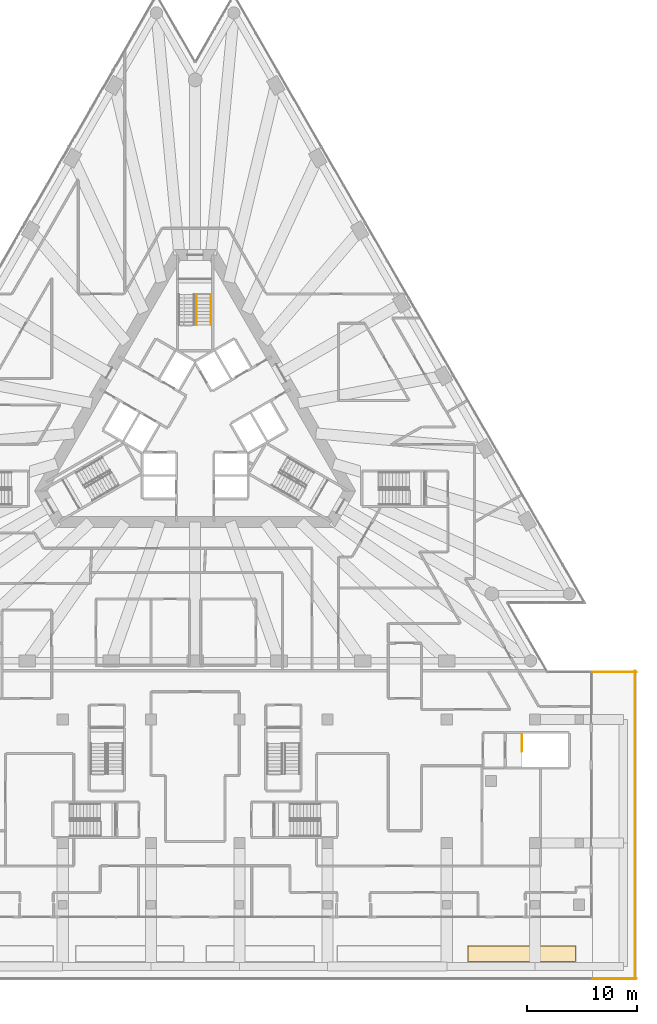
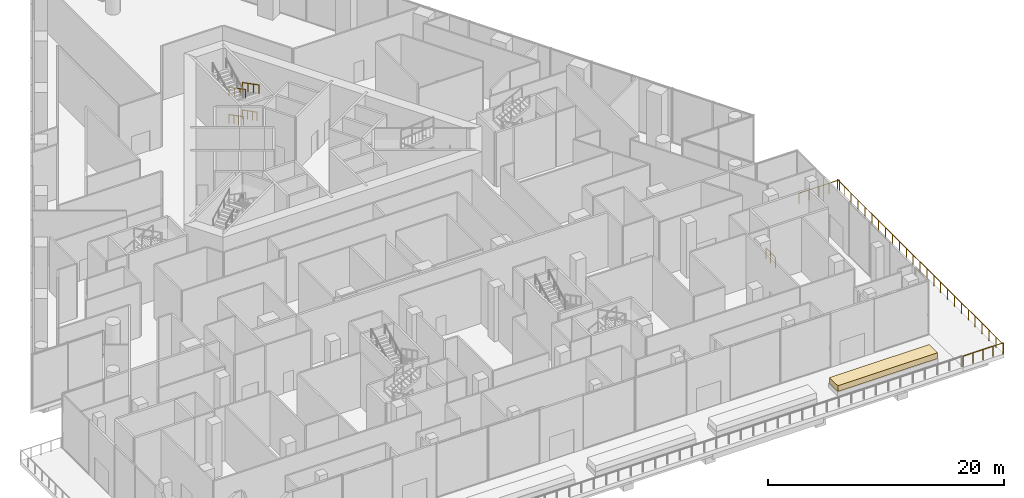
# One storey, part 36 of 36: 8 railings, 1 covering, 1 element without a shape of its own.
"""IFC4 building model written with IfcOpenShell, lengths in metres."""

from ifc_helpers import new_model, si_unit, direction, frame, origin, origin_2d, place, context, subcontext, project, spatial, polyline, circle, outline, extrude, material, layer, layer_set, type_object, element, aggregate, save


model = new_model("IFC4")

# Units and contexts
model_context = context("Model", 3, precision=1e-05, world=origin(), true_north=direction((0.0, 1.0)))
body_context = subcontext(model_context, "Body", "Model", "MODEL_VIEW")
ifc_project = project(units=[si_unit("LENGTHUNIT", "METRE"), si_unit("AREAUNIT", "SQUARE_METRE"), si_unit("VOLUMEUNIT", "CUBIC_METRE"), si_unit("PLANEANGLEUNIT", "RADIAN"), si_unit("MASSUNIT", "GRAM", prefix="KILO")], contexts=[model_context])

# Site, building, storey
site_placement = place(None, origin())
site = spatial("IfcSite", under=ifc_project, at=site_placement, CompositionType="ELEMENT")
building_placement = place(site_placement, origin())
building = spatial("IfcBuilding", under=site, at=building_placement, Name="Triada Interchange Tower", CompositionType="ELEMENT")
storey_placement = place(building_placement, frame((0.0, 0.0, 8.5)))
storey = spatial("IfcBuildingStorey", under=building, at=storey_placement, Name="L01", CompositionType="ELEMENT", Elevation=8.5)

# Covering
ifc_material_1 = material(Name="Planting soil")
ifc_layer = layer(ifc_material_1, 0.60009765625)
ifc_layer_set = layer_set([ifc_layer], Name="Planting bed 600")
covering_type = type_object("IfcCoveringType", Name="Planting bed 600", PredefinedType="FLOORING", material=ifc_layer_set)
covering_placement = place(storey_placement, frame((0.0, 0.0, 0.449951171875)))
element("IfcCovering", 1, at=covering_placement, inside=storey, type_object=covering_type, Name="Planting bed PLANTER L01 06", PredefinedType="FLOORING", context=body_context, shape_type="SweptSolid", body=[
    extrude(outline(polyline([(24.717041015625, -48.830078125), (34.449951171875, -48.830078125), (34.449951171875, -47.429931640625), (24.717041015625, -47.429931640625), (24.717041015625, -48.830078125)])), origin(), (0.0, 0.0, 1.0), 0.60009765625),
])

# Railing
ifc_material_2 = material(Name="Stainless steel 1.4301", Category="steel")
railing_type_1 = type_object("IfcRailingType", Name="STAIR GUARD 1100", PredefinedType="GUARDRAIL", material=ifc_material_2)
railing_1_placement = place(storey_placement, frame((29.60009765625, -28.25, 0.0)))
element("IfcRailing", 2, at=railing_1_placement, inside=storey, type_object=railing_type_1, Name="Guard well PX6 L01", PredefinedType="GUARDRAIL", context=body_context, shape_type="SweptSolid", body=[
    extrude(circle(Radius=0.02392578125, at=origin_2d()), frame((0.0, 0.0, 1.076171875), z_axis=(0.0, -1.0, 0.0), x_axis=(1.0, 0.0, 0.0)), (0.0, 0.0, 1.0), 1.550048828125),
    extrude(circle(Radius=0.02099609375, at=origin_2d()), origin(), (0.0, 0.0, 1.0), 1.052001953125),
    extrude(circle(Radius=0.02099609375, at=origin_2d()), frame((0.0, -0.77490234375, 0.0)), (0.0, 0.0, 1.0), 1.052001953125),
    extrude(circle(Radius=0.02099609375, at=origin_2d()), frame((0.0, -1.550048828125, 0.0)), (0.0, 0.0, 1.0), 1.052001953125),
])

# Stair, railings
ifc_material_3 = material(Name="Concrete C35/45", Category="concrete")
stair_type = type_object("IfcStairType", Name="HALF TURN STAIR 1400", PredefinedType="HALF_TURN_STAIR", material=ifc_material_3)
stair_placement = place(storey_placement, origin())
stair = element("IfcStair", 3, at=stair_placement, inside=storey, type_object=stair_type, Name="Exit stair S01-1", PredefinedType="HALF_TURN_STAIR")
railing_type_2 = type_object("IfcRailingType", Name="STAIR HANDRAIL 900", PredefinedType="HANDRAIL", material=ifc_material_2)
railing_2_placement = place(storey_placement, frame((1.449951171875, 11.60009765625, 0.157958984375)))
railing_2 = element("IfcRailing", 4, at=railing_2_placement, type_object=railing_type_2, Name="Handrail S01-1 1W", PredefinedType="HANDRAIL", context=body_context, shape_type="SweptSolid", body=[
    extrude(circle(Radius=0.02392578125, at=origin_2d()), frame((0.0, 0.0, 0.8759765625), z_axis=(0.0, -0.888102587674, 0.459645291249), x_axis=(1.0, 0.0, 0.0)), (0.0, 0.0, 1.0), 2.74755859375),
    extrude(circle(Radius=0.02099609375, at=origin_2d()), origin(), (0.0, 0.0, 1.0), 0.851806640625),
    extrude(circle(Radius=0.02099609375, at=origin_2d()), frame((0.0, -0.8134765625, 0.4208984375)), (0.0, 0.0, 1.0), 0.851806640625),
    extrude(circle(Radius=0.02099609375, at=origin_2d()), frame((0.0, -1.626708984375, 0.842041015625)), (0.0, 0.0, 1.0), 0.851806640625),
    extrude(circle(Radius=0.02099609375, at=origin_2d()), frame((0.0, -2.440185546875, 1.262939453125)), (0.0, 0.0, 1.0), 0.851806640625),
])
railing_3_placement = place(storey_placement, frame((0.1201171875, 11.60009765625, 0.157958984375)))
railing_3 = element("IfcRailing", 5, at=railing_3_placement, type_object=railing_type_2, Name="Handrail S01-1 1C", PredefinedType="HANDRAIL", context=body_context, shape_type="SweptSolid", body=[
    extrude(circle(Radius=0.02392578125, at=origin_2d()), frame((0.0, 0.0, 0.8759765625), z_axis=(0.0, -0.888102587674, 0.459645291249), x_axis=(1.0, 0.0, 0.0)), (0.0, 0.0, 1.0), 2.74755859375),
    extrude(circle(Radius=0.02099609375, at=origin_2d()), origin(), (0.0, 0.0, 1.0), 0.851806640625),
    extrude(circle(Radius=0.02099609375, at=origin_2d()), frame((0.0, -0.8134765625, 0.4208984375)), (0.0, 0.0, 1.0), 0.851806640625),
    extrude(circle(Radius=0.02099609375, at=origin_2d()), frame((0.0, -1.626708984375, 0.842041015625)), (0.0, 0.0, 1.0), 0.851806640625),
    extrude(circle(Radius=0.02099609375, at=origin_2d()), frame((0.0, -2.440185546875, 1.262939453125)), (0.0, 0.0, 1.0), 0.851806640625),
])
railing_4_placement = place(storey_placement, frame((1.449951171875, 11.60009765625, 3.0)))
railing_4 = element("IfcRailing", 6, at=railing_4_placement, type_object=railing_type_2, Name="Handrail S01-1 3W", PredefinedType="HANDRAIL", context=body_context, shape_type="SweptSolid", body=[
    extrude(circle(Radius=0.02392578125, at=origin_2d()), frame((0.0, 0.0, 0.8759765625), z_axis=(0.0, -0.888084238656, 0.459680742527), x_axis=(1.0, 0.0, 0.0)), (0.0, 0.0, 1.0), 3.091064453125),
    extrude(circle(Radius=0.02099609375, at=origin_2d()), origin(), (0.0, 0.0, 1.0), 0.851806640625),
    extrude(circle(Radius=0.02099609375, at=origin_2d()), frame((0.0, -0.9150390625, 0.4736328125)), (0.0, 0.0, 1.0), 0.851806640625),
    extrude(circle(Radius=0.02099609375, at=origin_2d()), frame((0.0, -1.830078125, 0.947265625)), (0.0, 0.0, 1.0), 0.851806640625),
    extrude(circle(Radius=0.02099609375, at=origin_2d()), frame((0.0, -2.7451171875, 1.4208984375)), (0.0, 0.0, 1.0), 0.851806640625),
])
railing_5_placement = place(storey_placement, frame((0.1201171875, 11.60009765625, 3.0)))
railing_5 = element("IfcRailing", 7, at=railing_5_placement, type_object=railing_type_2, Name="Handrail S01-1 3C", PredefinedType="HANDRAIL", context=body_context, shape_type="SweptSolid", body=[
    extrude(circle(Radius=0.02392578125, at=origin_2d()), frame((0.0, 0.0, 0.8759765625), z_axis=(0.0, -0.888084238656, 0.459680742527), x_axis=(1.0, 0.0, 0.0)), (0.0, 0.0, 1.0), 3.091064453125),
    extrude(circle(Radius=0.02099609375, at=origin_2d()), origin(), (0.0, 0.0, 1.0), 0.851806640625),
    extrude(circle(Radius=0.02099609375, at=origin_2d()), frame((0.0, -0.9150390625, 0.4736328125)), (0.0, 0.0, 1.0), 0.851806640625),
    extrude(circle(Radius=0.02099609375, at=origin_2d()), frame((0.0, -1.830078125, 0.947265625)), (0.0, 0.0, 1.0), 0.851806640625),
    extrude(circle(Radius=0.02099609375, at=origin_2d()), frame((0.0, -2.7451171875, 1.4208984375)), (0.0, 0.0, 1.0), 0.851806640625),
])
aggregate(stair, [railing_2, railing_3, railing_4, railing_5])

# Railings
railing_type_3 = type_object("IfcRailingType", Name="Terrace guard 1100", PredefinedType="GUARDRAIL", material=ifc_material_2)
railing_6_placement = place(storey_placement, frame((36.050048828125, -50.3798828125, 0.0)))
element("IfcRailing", 8, at=railing_6_placement, inside=storey, type_object=railing_type_3, Name="Guard L01 terrace 04", PredefinedType="GUARDRAIL", context=body_context, shape_type="SweptSolid", body=[
    extrude(circle(Radius=0.02392578125, at=origin_2d()), frame((0.0, 0.0, 1.076171875), z_axis=(1.0, 0.0, 0.0), x_axis=(0.0, 1.0, 0.0)), (0.0, 0.0, 1.0), 3.949951171875),
    extrude(circle(Radius=0.02099609375, at=origin_2d()), origin(), (0.0, 0.0, 1.0), 1.052001953125),
    extrude(circle(Radius=0.02099609375, at=origin_2d()), frame((0.987548828125, 0.0, 0.0)), (0.0, 0.0, 1.0), 1.052001953125),
    extrude(circle(Radius=0.02099609375, at=origin_2d()), frame((1.97509765625, 0.0, 0.0)), (0.0, 0.0, 1.0), 1.052001953125),
    extrude(circle(Radius=0.02099609375, at=origin_2d()), frame((2.96240234375, 0.0, 0.0)), (0.0, 0.0, 1.0), 1.052001953125),
    extrude(circle(Radius=0.02099609375, at=origin_2d()), frame((3.949951171875, 0.0, 0.0)), (0.0, 0.0, 1.0), 1.052001953125),
])
railing_7_placement = place(storey_placement, frame((39.8798828125, -50.5, 0.0)))
element("IfcRailing", 9, at=railing_7_placement, inside=storey, type_object=railing_type_3, Name="Guard L01 terrace 05", PredefinedType="GUARDRAIL", context=body_context, shape_type="SweptSolid", body=[
    extrude(circle(Radius=0.02392578125, at=origin_2d()), frame((0.0, 0.0, 1.076171875), z_axis=(0.0, 1.0, 0.0), x_axis=(-1.0, 0.0, 0.0)), (0.0, 0.0, 1.0), 28.0),
    extrude(circle(Radius=0.02099609375, at=origin_2d()), origin(), (0.0, 0.0, 1.0), 1.052001953125),
    extrude(circle(Radius=0.02099609375, at=origin_2d()), frame((0.0, 1.166748046875, 0.0)), (0.0, 0.0, 1.0), 1.052001953125),
    extrude(circle(Radius=0.02099609375, at=origin_2d()), frame((0.0, 2.333251953125, 0.0)), (0.0, 0.0, 1.0), 1.052001953125),
    extrude(circle(Radius=0.02099609375, at=origin_2d()), frame((0.0, 3.5, 0.0)), (0.0, 0.0, 1.0), 1.052001953125),
    extrude(circle(Radius=0.02099609375, at=origin_2d()), frame((0.0, 4.666748046875, 0.0)), (0.0, 0.0, 1.0), 1.052001953125),
    extrude(circle(Radius=0.02099609375, at=origin_2d()), frame((0.0, 5.833251953125, 0.0)), (0.0, 0.0, 1.0), 1.052001953125),
    extrude(circle(Radius=0.02099609375, at=origin_2d()), frame((0.0, 7.0, 0.0)), (0.0, 0.0, 1.0), 1.052001953125),
    extrude(circle(Radius=0.02099609375, at=origin_2d()), frame((0.0, 8.166748046875, 0.0)), (0.0, 0.0, 1.0), 1.052001953125),
    extrude(circle(Radius=0.02099609375, at=origin_2d()), frame((0.0, 9.333251953125, 0.0)), (0.0, 0.0, 1.0), 1.052001953125),
    extrude(circle(Radius=0.02099609375, at=origin_2d()), frame((0.0, 10.5, 0.0)), (0.0, 0.0, 1.0), 1.052001953125),
    extrude(circle(Radius=0.02099609375, at=origin_2d()), frame((0.0, 11.666748046875, 0.0)), (0.0, 0.0, 1.0), 1.052001953125),
    extrude(circle(Radius=0.02099609375, at=origin_2d()), frame((0.0, 12.833251953125, 0.0)), (0.0, 0.0, 1.0), 1.052001953125),
    extrude(circle(Radius=0.02099609375, at=origin_2d()), frame((0.0, 14.0, 0.0)), (0.0, 0.0, 1.0), 1.052001953125),
    extrude(circle(Radius=0.02099609375, at=origin_2d()), frame((0.0, 15.166748046875, 0.0)), (0.0, 0.0, 1.0), 1.052001953125),
    extrude(circle(Radius=0.02099609375, at=origin_2d()), frame((0.0, 16.333251953125, 0.0)), (0.0, 0.0, 1.0), 1.052001953125),
    extrude(circle(Radius=0.02099609375, at=origin_2d()), frame((0.0, 17.5, 0.0)), (0.0, 0.0, 1.0), 1.052001953125),
    extrude(circle(Radius=0.02099609375, at=origin_2d()), frame((0.0, 18.666748046875, 0.0)), (0.0, 0.0, 1.0), 1.052001953125),
    extrude(circle(Radius=0.02099609375, at=origin_2d()), frame((0.0, 19.833251953125, 0.0)), (0.0, 0.0, 1.0), 1.052001953125),
    extrude(circle(Radius=0.02099609375, at=origin_2d()), frame((0.0, 21.0, 0.0)), (0.0, 0.0, 1.0), 1.052001953125),
    extrude(circle(Radius=0.02099609375, at=origin_2d()), frame((0.0, 22.166748046875, 0.0)), (0.0, 0.0, 1.0), 1.052001953125),
    extrude(circle(Radius=0.02099609375, at=origin_2d()), frame((0.0, 23.333251953125, 0.0)), (0.0, 0.0, 1.0), 1.052001953125),
    extrude(circle(Radius=0.02099609375, at=origin_2d()), frame((0.0, 24.5, 0.0)), (0.0, 0.0, 1.0), 1.052001953125),
    extrude(circle(Radius=0.02099609375, at=origin_2d()), frame((0.0, 25.666748046875, 0.0)), (0.0, 0.0, 1.0), 1.052001953125),
    extrude(circle(Radius=0.02099609375, at=origin_2d()), frame((0.0, 26.833251953125, 0.0)), (0.0, 0.0, 1.0), 1.052001953125),
    extrude(circle(Radius=0.02099609375, at=origin_2d()), frame((0.0, 28.0, 0.0)), (0.0, 0.0, 1.0), 1.052001953125),
])
railing_8_placement = place(storey_placement, frame((40.0, -22.6201171875, 0.0)))
element("IfcRailing", 10, at=railing_8_placement, inside=storey, type_object=railing_type_3, Name="Guard L01 terrace 06", PredefinedType="GUARDRAIL", context=body_context, shape_type="SweptSolid", body=[
    extrude(circle(Radius=0.02392578125, at=origin_2d()), frame((0.0, 0.0, 1.076171875), z_axis=(-1.0, 0.0, 0.0), x_axis=(0.0, -1.0, 0.0)), (0.0, 0.0, 1.0), 3.949951171875),
    extrude(circle(Radius=0.02099609375, at=origin_2d()), origin(), (0.0, 0.0, 1.0), 1.052001953125),
    extrude(circle(Radius=0.02099609375, at=origin_2d()), frame((-0.987548828125, 0.0, 0.0)), (0.0, 0.0, 1.0), 1.052001953125),
    extrude(circle(Radius=0.02099609375, at=origin_2d()), frame((-1.97509765625, 0.0, 0.0)), (0.0, 0.0, 1.0), 1.052001953125),
    extrude(circle(Radius=0.02099609375, at=origin_2d()), frame((-2.96240234375, 0.0, 0.0)), (0.0, 0.0, 1.0), 1.052001953125),
    extrude(circle(Radius=0.02099609375, at=origin_2d()), frame((-3.949951171875, 0.0, 0.0)), (0.0, 0.0, 1.0), 1.052001953125),
])

save(model, "model.ifc")
